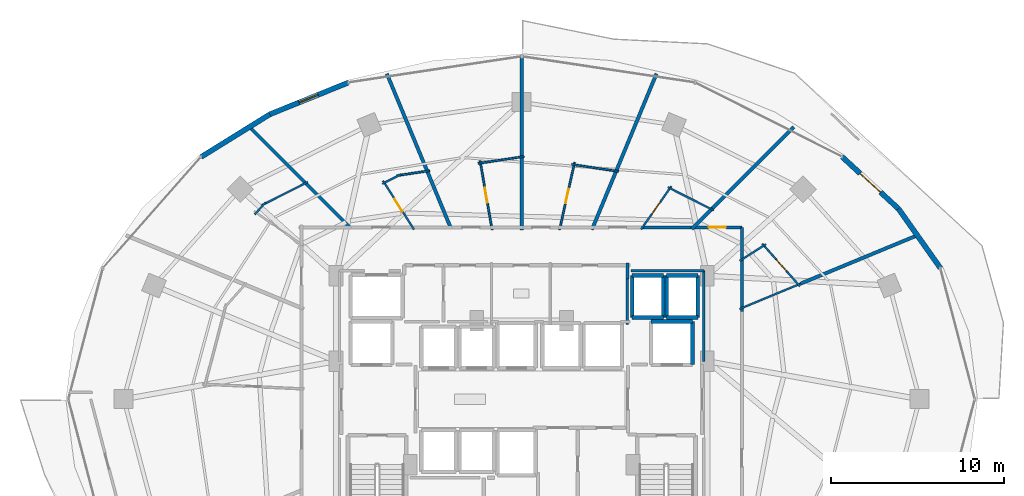
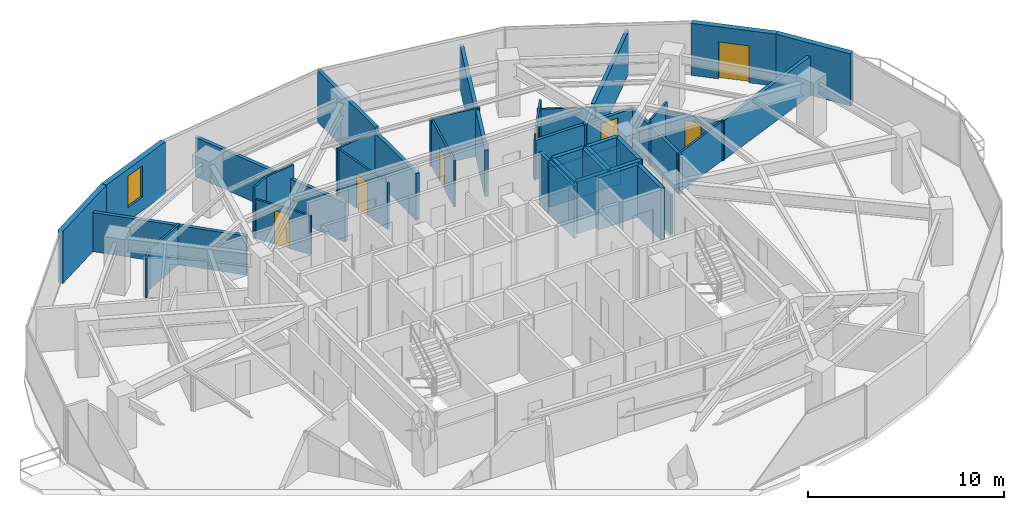
# One storey, part 26 of 30: 45 walls, 7 doors, 1 window, 8 openings.
"""IFC4 building model written with IfcOpenShell, lengths in metres."""

import ifcopenshell
import ifcopenshell.guid

model = None  # the IFC model being written
_history = None  # IfcOwnerHistory: only IFC2X3 demands one
_inside = {}  # id of a spatial element -> (the spatial element, [elements in it])
_under = {}  # id of a project, library or spatial element -> (it, [spatial elements below it])
_declared = {}  # id of a project -> (the project, [libraries it declares])
_typed = {}  # id of a type object -> (the type object, [elements of that type])
_made_of = {}  # id of a material, layer set ... -> (it, [elements and type objects made of it])


def new_model(schema):
    """Start an empty IFC model of exactly this schema.

    Asked for "IFC4X3", IfcOpenShell would pick the latest addendum, in which some entities
    have other attributes; the version numbers below select the first issue.
    IFC2X3 requires an IfcOwnerHistory on every rooted entity: one is made here for all.
    """
    global model, _history
    if schema == "IFC4X3":
        model = ifcopenshell.file(schema_version=(4, 3, 0, 0))
    else:
        model = ifcopenshell.file(schema=schema)
    _inside.clear()
    _under.clear()
    _declared.clear()
    _typed.clear()
    _made_of.clear()
    _history = None
    if model.schema == "IFC2X3":
        org = make("IfcOrganization", Name="unknown")
        user = make(
            "IfcPersonAndOrganization",
            ThePerson=make("IfcPerson", FamilyName="unknown"),
            TheOrganization=org,
        )
        app = make(
            "IfcApplication",
            ApplicationDeveloper=org,
            Version="unknown",
            ApplicationFullName="unknown",
            ApplicationIdentifier="unknown",
        )
        _history = make(
            "IfcOwnerHistory",
            OwningUser=user,
            OwningApplication=app,
            ChangeAction="ADDED",
            CreationDate=0,
        )
    return model


def make(cls, **values):
    """One entity of the class cls with the attributes given. An attribute that is None is left unset."""
    return model.create_entity(
        cls, **{name: value for name, value in values.items() if value is not None}
    )


def rooted(cls, **values):
    """An entity with a GlobalId (a new one), such as an element, a storey or a relation."""
    return make(cls, GlobalId=ifcopenshell.guid.new(), OwnerHistory=_history, **values)


def si_unit(unit_type, name, prefix=None):
    """IfcSIUnit, for example si_unit("LENGTHUNIT", "METRE", prefix="MILLI")."""
    return make("IfcSIUnit", UnitType=unit_type, Prefix=prefix, Name=name)


def assignment(units):
    """IfcUnitAssignment: the units of a project."""
    return None if units is None else make("IfcUnitAssignment", Units=units)


def point(xyz):
    """IfcCartesianPoint."""
    return None if xyz is None else make("IfcCartesianPoint", Coordinates=xyz)


def direction(xyz):
    """IfcDirection."""
    return None if xyz is None else make("IfcDirection", DirectionRatios=xyz)


def frame(location, z_axis=None, x_axis=None):
    """IfcAxis2Placement3D, a coordinate frame: its origin and axes. An axis left out is left unset."""
    return make(
        "IfcAxis2Placement3D",
        Location=point(location),
        Axis=direction(z_axis),
        RefDirection=direction(x_axis),
    )


def frame_2d(location, x_axis=None):
    """IfcAxis2Placement2D, a coordinate frame in the plane: its origin and x axis."""
    return make(
        "IfcAxis2Placement2D", Location=point(location), RefDirection=direction(x_axis)
    )


def origin():
    """The frame at (0, 0, 0) with its axes left unset."""
    return frame((0.0, 0.0, 0.0))


def place(relative_to, where):
    """IfcLocalPlacement: puts the frame where relative to a parent placement (None: the world)."""
    return make(
        "IfcLocalPlacement", PlacementRelTo=relative_to, RelativePlacement=where
    )


def context(
    kind, dimensions, precision=None, world=None, true_north=None, identifier=None
):
    """IfcGeometricRepresentationContext, for example the 3D "Model" context."""
    return make(
        "IfcGeometricRepresentationContext",
        ContextIdentifier=identifier,
        ContextType=kind,
        CoordinateSpaceDimension=dimensions,
        Precision=precision,
        WorldCoordinateSystem=world,
        TrueNorth=true_north,
    )


def subcontext(parent, identifier, kind, view, scale=None):
    """IfcGeometricRepresentationSubContext, for example "Body" below "Model"."""
    return make(
        "IfcGeometricRepresentationSubContext",
        ContextIdentifier=identifier,
        ContextType=kind,
        ParentContext=parent,
        TargetScale=scale,
        TargetView=view,
    )


def project(units=None, contexts=None):
    """IfcProject with its units and contexts."""
    return rooted(
        "IfcProject",
        Name="project",
        RepresentationContexts=contexts,
        UnitsInContext=assignment(units),
    )


def spatial(cls, under=None, at=None, **own):
    """A site, building, storey or space (cls), placed at a placement, below another one or the project."""
    s = rooted(cls, ObjectPlacement=at, **own)
    if under is not None:
        _under.setdefault(under.id(), (under, []))[1].append(s)
    return s


def profile(cls, at=None, kind="AREA", **sizes):
    """A parametric profile (cls). Its sizes go by their IFC names, for example OverallWidth=200.0."""
    return make(cls, ProfileType=kind, Position=at, **sizes)


def rectangle(**sizes):
    """IfcRectangleProfileDef."""
    return profile("IfcRectangleProfileDef", **sizes)


def extrude(swept, where, along, depth):
    """IfcExtrudedAreaSolid: the profile swept, set in the frame where, extruded along a direction by depth."""
    return make(
        "IfcExtrudedAreaSolid",
        SweptArea=swept,
        Position=where,
        ExtrudedDirection=direction(along),
        Depth=depth,
    )


def shape(context_of_items, identifier, shape_type, items):
    """IfcShapeRepresentation: the items that make up one representation, for example the "Body"."""
    return make(
        "IfcShapeRepresentation",
        ContextOfItems=context_of_items,
        RepresentationIdentifier=identifier,
        RepresentationType=shape_type,
        Items=items,
    )


def material(Name=None, Category=None):
    """IfcMaterial."""
    return make("IfcMaterial", Name=Name, Category=Category)


def layer(
    of_material, thickness, ventilated=None, Name=None, Category=None, Priority=None
):
    """IfcMaterialLayer: one layer of a wall or slab, of a material (None: an air gap)."""
    return make(
        "IfcMaterialLayer",
        Material=of_material,
        LayerThickness=thickness,
        IsVentilated=ventilated,
        Name=Name,
        Category=Category,
        Priority=Priority,
    )


def layer_set(layers, Name=None):
    """IfcMaterialLayerSet."""
    return make("IfcMaterialLayerSet", MaterialLayers=layers, LayerSetName=Name)


def made_of(thing, what):
    """Note that an element or type object is made of a material, layer set ...; save() writes the relation."""
    if what is not None:
        _made_of.setdefault(what.id(), (what, []))[1].append(thing)
    return thing


def type_object(cls, material=None, **own):
    """A type object (cls), such as IfcWallType, which elements share."""
    return made_of(rooted(cls, **own), material)


def element(
    cls,
    number,
    at=None,
    inside=None,
    cuts=None,
    type_object=None,
    material=None,
    context=None,
    identifier="Body",
    shape_type=None,
    held_by="IfcProductDefinitionShape",
    body=None,
    shapes=None,
    **own,
):
    """One element of the class cls, such as IfcWall. Its Tag is "e" and its number.

    at: its placement. inside: the storey or other place that contains it. cuts: it is an
    opening in that element (IfcRelVoidsElement). A single representation is given by context,
    identifier, shape_type and body (its items); several are given by shapes. held_by: the class
    of the entity that holds the representations. save() writes the other relations.
    """
    e = rooted(cls, Tag="e%d" % number, ObjectPlacement=at, **own)
    if body is not None:
        shapes = [shape(context, identifier, shape_type, body)]
    if shapes is not None:
        e.Representation = make(held_by, Representations=shapes)
    if inside is not None:
        _inside.setdefault(inside.id(), (inside, []))[1].append(e)
    if cuts is not None:
        rooted(
            "IfcRelVoidsElement", RelatingBuildingElement=cuts, RelatedOpeningElement=e
        )
    if type_object is not None:
        _typed.setdefault(type_object.id(), (type_object, []))[1].append(e)
    return made_of(e, material)


def fill(opening, filler):
    """IfcRelFillsElement: the door or window that sits in an opening."""
    return rooted(
        "IfcRelFillsElement",
        RelatingOpeningElement=opening,
        RelatedBuildingElement=filler,
    )


def aggregate(whole, parts):
    """IfcRelAggregates: a whole, such as a stair, and the parts it consists of."""
    return rooted("IfcRelAggregates", RelatingObject=whole, RelatedObjects=parts)


def save(model, path):
    """Write the relations noted so far, then the file.

    IfcRelAggregates (storeys below a building ...), IfcRelContainedInSpatialStructure (elements
    in a storey), IfcRelDefinesByType, IfcRelAssociatesMaterial and IfcRelDeclares: one each for
    every whole, place, type object, material and project.
    """
    for whole, parts in _under.values():
        aggregate(whole, parts)
    for where, things in _inside.values():
        rooted(
            "IfcRelContainedInSpatialStructure",
            RelatedElements=things,
            RelatingStructure=where,
        )
    for kind, things in _typed.values():
        rooted("IfcRelDefinesByType", RelatedObjects=things, RelatingType=kind)
    for what, things in _made_of.values():
        rooted("IfcRelAssociatesMaterial", RelatedObjects=things, RelatingMaterial=what)
    for by, libraries in _declared.values():
        rooted("IfcRelDeclares", RelatingContext=by, RelatedDefinitions=libraries)
    model.write(path)


model = new_model("IFC4")

# Units and contexts
model_context = context("Model", 3, precision=1e-05, world=origin(), true_north=direction((0.0, 1.0)))
body_context = subcontext(model_context, "Body", "Model", "MODEL_VIEW")
ifc_project = project(units=[si_unit("LENGTHUNIT", "METRE"), si_unit("AREAUNIT", "SQUARE_METRE"), si_unit("VOLUMEUNIT", "CUBIC_METRE"), si_unit("PLANEANGLEUNIT", "RADIAN"), si_unit("MASSUNIT", "GRAM", prefix="KILO")], contexts=[model_context])

# Site, building, storey
site_placement = place(None, origin())
site = spatial("IfcSite", under=ifc_project, at=site_placement, CompositionType="ELEMENT")
building_placement = place(site_placement, origin())
building = spatial("IfcBuilding", under=site, at=building_placement, Name="Vorneva Point Tower", CompositionType="ELEMENT")
storey_placement = place(building_placement, frame((0.0, 0.0, 106.800048828125)))
storey = spatial("IfcBuildingStorey", under=building, at=storey_placement, Name="L28", CompositionType="ELEMENT", Elevation=106.800048828125)

# Walls
ifc_material_1 = material(Name="Concrete B60 (C50/60)", Category="concrete")
ifc_layer_1 = layer(ifc_material_1, 0.5)
ifc_layer_set_1 = layer_set([ifc_layer_1], Name="Concrete B60 (C50/60)")
wall_type_1 = type_object("IfcWallType", Name="WL-CORE-500", PredefinedType="SHEAR", material=ifc_layer_set_1)
wall_1_placement = place(storey_placement, frame((47.89990234375, 28.0, 0.0), z_axis=(0.0, 0.0, 1.0), x_axis=(0.0, 1.0, 0.0)))
element("IfcWall", 1, at=wall_1_placement, inside=storey, type_object=wall_type_1, Name="L28 Lift FFL2 Shaft Wall +X", PredefinedType="SHEAR", context=body_context, shape_type="SweptSolid", body=[
    extrude(rectangle(XDim=2.5, YDim=0.219970703125, at=frame_2d((1.25, 0.0))), origin(), (0.0, 0.0, 1.0), 3.239990234375),
])
wall_2_placement = place(storey_placement, frame((47.89990234375, 30.5, 0.0), z_axis=(0.0, 0.0, 1.0), x_axis=(-1.0, 0.0, 0.0)))
element("IfcWall", 2, at=wall_2_placement, inside=storey, type_object=wall_type_1, Name="L28 Lift FFL2 Shaft Wall +Y", PredefinedType="SHEAR", context=body_context, shape_type="SweptSolid", body=[
    extrude(rectangle(XDim=2.39990234375, YDim=0.219970703125, at=frame_2d((1.199951171875, 0.0))), origin(), (0.0, 0.0, 1.0), 3.239990234375),
])
ifc_material_2 = material(Name="Precast concrete B50 (C40/50)", Category="concrete")
ifc_layer_2 = layer(ifc_material_2, 0.300048828125)
ifc_layer_set_2 = layer_set([ifc_layer_2], Name="Precast concrete B50 (C40/50)")
wall_type_2 = type_object("IfcWallType", Name="WL-EXT-300", PredefinedType="STANDARD", material=ifc_layer_set_2)
wall_3_placement = place(storey_placement, frame((62.251708984375, 33.59619140625, 0.0), z_axis=(0.0, 0.0, 1.0), x_axis=(-0.57716435238, 0.81662801222, 0.0)))
element("IfcWall", 3, at=wall_3_placement, inside=storey, type_object=wall_type_2, Name="L28 Pale-Metal Facade Spandrel Wall 02.1", PredefinedType="STANDARD", context=body_context, shape_type="SweptSolid", body=[
    extrude(rectangle(XDim=4.202392578125, YDim=0.300048828125, at=frame_2d((2.10107421875, 0.0))), origin(), (0.0, 0.0, 1.0), 3.239990234375),
])

# Wall, opening, door
wall_4_placement = place(storey_placement, frame((59.826171875, 37.028076171875, 0.0), z_axis=(0.0, 0.0, 1.0), x_axis=(-0.735416718093, 0.677615119924, 0.0)))
wall_4 = element("IfcWall", 4, at=wall_4_placement, inside=storey, type_object=wall_type_2, Name="L28 Pale-Metal Facade Spandrel Wall 02.2", PredefinedType="STANDARD", context=body_context, shape_type="SweptSolid", body=[
    extrude(rectangle(XDim=4.439208984375, YDim=0.300048828125, at=frame_2d((2.2197265625, 0.0))), origin(), (0.0, 0.0, 1.0), 3.239990234375),
])
opening_1_placement = place(wall_4_placement, frame((1.41943359375, 0.0, 0.0)))
opening_1 = element("IfcOpeningElement", 5, at=opening_1_placement, cuts=wall_4, Name="Opening BD-01", PredefinedType="OPENING", context=body_context, shape_type="SweptSolid", body=[
    extrude(rectangle(XDim=1.60009765625, YDim=2.300048828125, at=frame_2d((0.800048828125, 1.14990234375))), frame((0.0, 0.1650390625, 0.0), z_axis=(0.0, -1.0, 0.0), x_axis=(1.0, 0.0, 0.0)), (0.0, 0.0, 1.0), 0.329833984375),
])
ifc_material_3 = material(Name="Pale anodised aluminium", Category="aluminium")
door_type_1 = type_object("IfcDoorType", Name="DR-BAL-1600", OperationType="SLIDING_TO_LEFT", PredefinedType="DOOR", material=ifc_material_3)
door_1_placement = place(opening_1_placement, origin())
door_1 = element("IfcDoor", 6, at=door_1_placement, inside=storey, type_object=door_type_1, Name="L28 Balcony Terrace Access Door 02", OperationType="SLIDING_TO_LEFT", OverallHeight=2.300048828125, OverallWidth=1.60009765625, PredefinedType="DOOR", context=body_context, shape_type="SweptSolid", body=[
    extrude(rectangle(XDim=1.60009765625, YDim=2.300048828125, at=frame_2d((0.800048828125, 1.14990234375))), frame((0.0, 0.02490234375, 0.0), z_axis=(0.0, -1.0, 0.0), x_axis=(1.0, 0.0, 0.0)), (0.0, 0.0, 1.0), 0.050048828125),
])
fill(opening_1, door_1)

# Wall, opening, window
wall_5_placement = place(storey_placement, frame((27.95458984375, 44.339111328125, 0.0), z_axis=(0.0, 0.0, 1.0), x_axis=(-0.927122233109, -0.374759075775, 0.0)))
wall_5 = element("IfcWall", 7, at=wall_5_placement, inside=storey, type_object=wall_type_2, Name="L28 Pale-Metal Facade Spandrel Wall 06.1", PredefinedType="STANDARD", context=body_context, shape_type="SweptSolid", body=[
    extrude(rectangle(XDim=4.89501953125, YDim=0.300048828125, at=frame_2d((2.447509765625, 0.0))), origin(), (0.0, 0.0, 1.0), 3.239990234375),
])
opening_2_placement = place(wall_5_placement, frame((1.87744140625, 0.0, 0.85009765625)))
opening_2 = element("IfcOpeningElement", 8, at=opening_2_placement, cuts=wall_5, Name="Opening W-04", PredefinedType="OPENING", context=body_context, shape_type="SweptSolid", body=[
    extrude(rectangle(XDim=1.199951171875, YDim=1.949951171875, at=frame_2d((0.60009765625, 0.97509765625))), frame((0.0, 0.1650390625, 0.0), z_axis=(0.0, -1.0, 0.0), x_axis=(1.0, 0.0, 0.0)), (0.0, 0.0, 1.0), 0.329833984375),
])
ifc_material_4 = material(Name="Double low-e laminated glass IGU", Category="glass")
window_type = type_object("IfcWindowType", Name="WN-RES-1200", PartitioningType="SINGLE_PANEL", PredefinedType="WINDOW", material=ifc_material_4)
window_placement = place(opening_2_placement, origin())
window = element("IfcWindow", 9, at=window_placement, inside=storey, type_object=window_type, Name="L28 Dwelling Vision Window 01", OverallHeight=1.949951171875, OverallWidth=1.199951171875, PartitioningType="SINGLE_PANEL", PredefinedType="WINDOW", context=body_context, shape_type="SweptSolid", body=[
    extrude(rectangle(XDim=1.199951171875, YDim=1.949951171875, at=frame_2d((0.60009765625, 0.97509765625))), frame((0.0, 0.030029296875, 0.0), z_axis=(0.0, -1.0, 0.0), x_axis=(1.0, 0.0, 0.0)), (0.0, 0.0, 1.0), 0.06005859375),
])
fill(opening_2, window)

# Wall
wall_6_placement = place(storey_placement, frame((23.416259765625, 42.504638671875, 0.0), z_axis=(0.0, 0.0, 1.0), x_axis=(-0.849684479743, -0.527291461038, 0.0)))
element("IfcWall", 10, at=wall_6_placement, inside=storey, type_object=wall_type_2, Name="L28 Pale-Metal Facade Spandrel Wall 06.2", PredefinedType="STANDARD", context=body_context, shape_type="SweptSolid", body=[
    extrude(rectangle(XDim=4.681396484375, YDim=0.300048828125, at=frame_2d((2.3408203125, 0.0))), origin(), (0.0, 0.0, 1.0), 3.239990234375),
])

# Wall, opening, door
ifc_material_5 = material(Name="Fire-rated acoustic gypsum stud partition", Category="gypsum")
ifc_layer_3 = layer(ifc_material_5, 0.110107421875)
ifc_layer_set_3 = layer_set([ifc_layer_3], Name="Fire-rated acoustic gypsum stud partition")
wall_type_3 = type_object("IfcWallType", Name="WL-PART-110", PredefinedType="PARTITIONING", material=ifc_layer_set_3)
wall_7_placement = place(storey_placement, frame((51.935302734375, 35.0068359375, 0.0), z_axis=(0.0, 0.0, 1.0), x_axis=(0.662059609276, -0.749451181709, 0.0)))
wall_7 = element("IfcWall", 11, at=wall_7_placement, inside=storey, type_object=wall_type_3, Name="L28 Interior Partition 051", PredefinedType="PARTITIONING", context=body_context, shape_type="SweptSolid", body=[
    extrude(rectangle(XDim=3.29931640625, YDim=0.110107421875, at=frame_2d((1.649658203125, 0.0))), origin(), (0.0, 0.0, 1.0), 2.431884765625),
])
opening_3_placement = place(wall_7_placement, frame((1.224609375, 0.0, 0.0)))
opening_3 = element("IfcOpeningElement", 12, at=opening_3_placement, cuts=wall_7, Name="Opening ID-02", PredefinedType="OPENING", context=body_context, shape_type="SweptSolid", body=[
    extrude(rectangle(XDim=0.85009765625, YDim=2.10009765625, at=frame_2d((0.425048828125, 1.050048828125))), frame((0.0, 0.06982421875, 0.0), z_axis=(0.0, -1.0, 0.0), x_axis=(1.0, 0.0, 0.0)), (0.0, 0.0, 1.0), 0.139892578125),
])
ifc_material_6 = material(Name="Engineered oak fire-rated door leaf", Category="wood")
door_type_2 = type_object("IfcDoorType", Name="DR-BATH-850", OperationType="NOTDEFINED", PredefinedType="DOOR", material=ifc_material_6)
door_2_placement = place(opening_3_placement, origin())
door_2 = element("IfcDoor", 13, at=door_2_placement, inside=storey, type_object=door_type_2, Name="L28 Door King Guest Room L28-01 / En-Suite Bathroom L28-01", OperationType="SINGLE_SWING_RIGHT", OverallHeight=2.10009765625, OverallWidth=0.85009765625, PredefinedType="DOOR", context=body_context, shape_type="SweptSolid", body=[
    extrude(rectangle(XDim=0.85009765625, YDim=2.10009765625, at=frame_2d((0.425048828125, 1.050048828125))), frame((0.0, 0.02490234375, 0.0), z_axis=(0.0, -1.0, 0.0), x_axis=(1.0, 0.0, 0.0)), (0.0, 0.0, 1.0), 0.050048828125),
])
fill(opening_3, door_2)

# Walls
wall_8_placement = place(storey_placement, frame((54.15625, 32.692626953125, 0.0), z_axis=(0.0, 0.0, 1.0), x_axis=(-0.923803754276, -0.382866326002, 0.0)))
element("IfcWall", 14, at=wall_8_placement, inside=storey, type_object=wall_type_3, Name="L28 Interior Partition 052", PredefinedType="PARTITIONING", context=body_context, shape_type="SweptSolid", body=[
    extrude(rectangle(XDim=3.8271484375, YDim=0.110107421875, at=frame_2d((1.91357421875, 0.0))), origin(), (0.0, 0.0, 1.0), 2.431884765625),
])
wall_9_placement = place(storey_placement, frame((50.6318359375, 34.01611328125, 0.0), z_axis=(0.0, 0.0, 1.0), x_axis=(0.844361394482, 0.535774052665, 0.0)))
element("IfcWall", 15, at=wall_9_placement, inside=storey, type_object=wall_type_3, Name="L28 Interior Partition 053", PredefinedType="PARTITIONING", context=body_context, shape_type="SweptSolid", body=[
    extrude(rectangle(XDim=1.79345703125, YDim=0.110107421875, at=frame_2d((0.896728515625, 0.0))), origin(), (0.0, 0.0, 1.0), 2.885986328125),
])
wall_10_placement = place(storey_placement, frame((46.462158203125, 38.281005859375, 0.0), z_axis=(0.0, 0.0, 1.0), x_axis=(0.892486842203, -0.451073426944, 0.0)))
element("IfcWall", 16, at=wall_10_placement, inside=storey, type_object=wall_type_3, Name="L28 Interior Partition 057", PredefinedType="PARTITIONING", context=body_context, shape_type="SweptSolid", body=[
    extrude(rectangle(XDim=2.982177734375, YDim=0.110107421875, at=frame_2d((1.4912109375, 0.0))), origin(), (0.0, 0.0, 1.0), 2.431884765625),
])

# Wall, opening, door
wall_11_placement = place(storey_placement, frame((44.91259765625, 35.83544921875, 0.0), z_axis=(0.0, 0.0, 1.0), x_axis=(0.574986040322, 0.818163219312, 0.0)))
wall_11 = element("IfcWall", 17, at=wall_11_placement, inside=storey, type_object=wall_type_3, Name="L28 Interior Partition 058", PredefinedType="PARTITIONING", context=body_context, shape_type="SweptSolid", body=[
    extrude(rectangle(XDim=3.052001953125, YDim=0.110107421875, at=frame_2d((1.52587890625, 0.0))), origin(), (0.0, 0.0, 1.0), 2.885986328125),
])
opening_4_placement = place(wall_11_placement, frame((1.10107421875, 0.0, 0.0)))
opening_4 = element("IfcOpeningElement", 18, at=opening_4_placement, cuts=wall_11, Name="Opening ID-02", PredefinedType="OPENING", context=body_context, shape_type="SweptSolid", body=[
    extrude(rectangle(XDim=0.85009765625, YDim=2.10009765625, at=frame_2d((0.425048828125, 1.050048828125))), frame((0.0, 0.06982421875, 0.0), z_axis=(0.0, -1.0, 0.0), x_axis=(1.0, 0.0, 0.0)), (0.0, 0.0, 1.0), 0.139892578125),
])
door_3_placement = place(opening_4_placement, origin())
door_3 = element("IfcDoor", 19, at=door_3_placement, inside=storey, type_object=door_type_2, Name="L28 Door Twin Guest Room L28-02 / En-Suite Bathroom L28-02", OperationType="SINGLE_SWING_LEFT", OverallHeight=2.10009765625, OverallWidth=0.85009765625, PredefinedType="DOOR", context=body_context, shape_type="SweptSolid", body=[
    extrude(rectangle(XDim=0.85009765625, YDim=2.10009765625, at=frame_2d((0.425048828125, 1.050048828125))), frame((0.0, 0.02490234375, 0.0), z_axis=(0.0, -1.0, 0.0), x_axis=(1.0, 0.0, 0.0)), (0.0, 0.0, 1.0), 0.050048828125),
])
fill(opening_4, door_3)

wall_12_placement = place(storey_placement, frame((40.193603515625, 35.8134765625, 0.0), z_axis=(0.0, 0.0, 1.0), x_axis=(0.21804880916, 0.975937865248, 0.0)))
wall_12 = element("IfcWall", 20, at=wall_12_placement, inside=storey, type_object=wall_type_3, Name="L28 Interior Partition 061", PredefinedType="PARTITIONING", context=body_context, shape_type="SweptSolid", body=[
    extrude(rectangle(XDim=3.998291015625, YDim=0.110107421875, at=frame_2d((1.9990234375, 0.0))), origin(), (0.0, 0.0, 1.0), 2.885986328125),
])
opening_5_placement = place(wall_12_placement, frame((1.57421875, 0.0, 0.0)))
opening_5 = element("IfcOpeningElement", 21, at=opening_5_placement, cuts=wall_12, Name="Opening ID-02", PredefinedType="OPENING", context=body_context, shape_type="SweptSolid", body=[
    extrude(rectangle(XDim=0.85009765625, YDim=2.10009765625, at=frame_2d((0.425048828125, 1.050048828125))), frame((0.0, 0.06982421875, 0.0), z_axis=(0.0, -1.0, 0.0), x_axis=(1.0, 0.0, 0.0)), (0.0, 0.0, 1.0), 0.139892578125),
])
door_4_placement = place(opening_5_placement, origin())
door_4 = element("IfcDoor", 22, at=door_4_placement, inside=storey, type_object=door_type_2, Name="L28 Door Deluxe Guest Room L28-03 / En-Suite Bathroom L28-03", OperationType="SINGLE_SWING_RIGHT", OverallHeight=2.10009765625, OverallWidth=0.85009765625, PredefinedType="DOOR", context=body_context, shape_type="SweptSolid", body=[
    extrude(rectangle(XDim=0.85009765625, YDim=2.10009765625, at=frame_2d((0.425048828125, 1.050048828125))), frame((0.0, 0.02490234375, 0.0), z_axis=(0.0, -1.0, 0.0), x_axis=(1.0, 0.0, 0.0)), (0.0, 0.0, 1.0), 0.050048828125),
])
fill(opening_5, door_4)

# Walls
wall_13_placement = place(storey_placement, frame((40.896484375, 39.599853515625, 0.0), z_axis=(0.0, 0.0, 1.0), x_axis=(0.98891024541, -0.148514398367, 0.0)))
element("IfcWall", 23, at=wall_13_placement, inside=storey, type_object=wall_type_3, Name="L28 Interior Partition 062", PredefinedType="PARTITIONING", context=body_context, shape_type="SweptSolid", body=[
    extrude(rectangle(XDim=2.745361328125, YDim=0.110107421875, at=frame_2d((1.37255859375, 0.0))), origin(), (0.0, 0.0, 1.0), 2.971923828125),
])
wall_14_placement = place(storey_placement, frame((35.474609375, 39.65625, 0.0), z_axis=(0.0, 0.0, 1.0), x_axis=(0.988878442063, 0.148726012595, 0.0)))
element("IfcWall", 24, at=wall_14_placement, inside=storey, type_object=wall_type_3, Name="L28 Interior Partition 065", PredefinedType="PARTITIONING", context=body_context, shape_type="SweptSolid", body=[
    extrude(rectangle(XDim=2.69384765625, YDim=0.110107421875, at=frame_2d((1.346923828125, 0.0))), origin(), (0.0, 0.0, 1.0), 2.971923828125),
])

# Wall, opening, door
wall_15_placement = place(storey_placement, frame((36.287109375, 35.81201171875, 0.0), z_axis=(0.0, 0.0, 1.0), x_axis=(-0.171838135253, 0.985125197766, 0.0)))
wall_15 = element("IfcWall", 25, at=wall_15_placement, inside=storey, type_object=wall_type_3, Name="L28 Interior Partition 066", PredefinedType="PARTITIONING", context=body_context, shape_type="SweptSolid", body=[
    extrude(rectangle(XDim=4.0634765625, YDim=0.110107421875, at=frame_2d((2.03173828125, 0.0))), origin(), (0.0, 0.0, 1.0), 2.885986328125),
])
opening_6_placement = place(wall_15_placement, frame((1.606689453125, 0.0, 0.0)))
opening_6 = element("IfcOpeningElement", 26, at=opening_6_placement, cuts=wall_15, Name="Opening ID-02", PredefinedType="OPENING", context=body_context, shape_type="SweptSolid", body=[
    extrude(rectangle(XDim=0.85009765625, YDim=2.10009765625, at=frame_2d((0.425048828125, 1.050048828125))), frame((0.0, 0.06982421875, 0.0), z_axis=(0.0, -1.0, 0.0), x_axis=(1.0, 0.0, 0.0)), (0.0, 0.0, 1.0), 0.139892578125),
])
door_5_placement = place(opening_6_placement, origin())
door_5 = element("IfcDoor", 27, at=door_5_placement, inside=storey, type_object=door_type_2, Name="L28 Door King Guest Room L28-04 / En-Suite Bathroom L28-04", OperationType="SINGLE_SWING_LEFT", OverallHeight=2.10009765625, OverallWidth=0.85009765625, PredefinedType="DOOR", context=body_context, shape_type="SweptSolid", body=[
    extrude(rectangle(XDim=0.85009765625, YDim=2.10009765625, at=frame_2d((0.425048828125, 1.050048828125))), frame((0.0, 0.02490234375, 0.0), z_axis=(0.0, -1.0, 0.0), x_axis=(1.0, 0.0, 0.0)), (0.0, 0.0, 1.0), 0.050048828125),
])
fill(opening_6, door_5)

# Walls
wall_16_placement = place(storey_placement, frame((29.919189453125, 38.47265625, 0.0), z_axis=(0.0, 0.0, 1.0), x_axis=(0.892084606746, 0.45186840386, 0.0)))
element("IfcWall", 28, at=wall_16_placement, inside=storey, type_object=wall_type_3, Name="L28 Interior Partition 068", PredefinedType="PARTITIONING", context=body_context, shape_type="SweptSolid", body=[
    extrude(rectangle(XDim=1.236083984375, YDim=0.110107421875, at=frame_2d((0.6181640625, 0.0))), origin(), (0.0, 0.0, 1.0), 3.239990234375),
])
wall_17_placement = place(storey_placement, frame((30.758544921875, 38.947265625, 0.0), z_axis=(0.0, 0.0, 1.0), x_axis=(0.988889867338, 0.148650026153, 0.0)))
element("IfcWall", 29, at=wall_17_placement, inside=storey, type_object=wall_type_3, Name="L28 Interior Partition 069", PredefinedType="PARTITIONING", context=body_context, shape_type="SweptSolid", body=[
    extrude(rectangle(XDim=1.92822265625, YDim=0.110107421875, at=frame_2d((0.964111328125, 0.0))), origin(), (0.0, 0.0, 1.0), 3.239990234375),
])

# Wall, opening, door
wall_18_placement = place(storey_placement, frame((31.760986328125, 35.831787109375, 0.0), z_axis=(0.0, 0.0, 1.0), x_axis=(-0.535991614842, 0.844223305067, 0.0)))
wall_18 = element("IfcWall", 30, at=wall_18_placement, inside=storey, type_object=wall_type_3, Name="L28 Interior Partition 070", PredefinedType="PARTITIONING", context=body_context, shape_type="SweptSolid", body=[
    extrude(rectangle(XDim=3.34326171875, YDim=0.110107421875, at=frame_2d((1.671630859375, 0.0))), origin(), (0.0, 0.0, 1.0), 2.431884765625),
])
opening_7_placement = place(wall_18_placement, frame((1.24658203125, 0.0, 0.0)))
opening_7 = element("IfcOpeningElement", 31, at=opening_7_placement, cuts=wall_18, Name="Opening ID-02", PredefinedType="OPENING", context=body_context, shape_type="SweptSolid", body=[
    extrude(rectangle(XDim=0.85009765625, YDim=2.10009765625, at=frame_2d((0.425048828125, 1.050048828125))), frame((0.0, 0.06982421875, 0.0), z_axis=(0.0, -1.0, 0.0), x_axis=(1.0, 0.0, 0.0)), (0.0, 0.0, 1.0), 0.139892578125),
])
door_6_placement = place(opening_7_placement, origin())
door_6 = element("IfcDoor", 32, at=door_6_placement, inside=storey, type_object=door_type_2, Name="L28 Door Twin Guest Room L28-05 / En-Suite Bathroom L28-05", OperationType="SINGLE_SWING_RIGHT", OverallHeight=2.10009765625, OverallWidth=0.85009765625, PredefinedType="DOOR", context=body_context, shape_type="SweptSolid", body=[
    extrude(rectangle(XDim=0.85009765625, YDim=2.10009765625, at=frame_2d((0.425048828125, 1.050048828125))), frame((0.0, 0.02490234375, 0.0), z_axis=(0.0, -1.0, 0.0), x_axis=(1.0, 0.0, 0.0)), (0.0, 0.0, 1.0), 0.050048828125),
])
fill(opening_7, door_6)

# Walls
wall_19_placement = place(storey_placement, frame((22.538330078125, 36.697021484375, 0.0), z_axis=(0.0, 0.0, 1.0), x_axis=(0.662242037053, 0.749289986827, 0.0)))
element("IfcWall", 33, at=wall_19_placement, inside=storey, type_object=wall_type_3, Name="L28 Interior Partition 072", PredefinedType="PARTITIONING", context=body_context, shape_type="SweptSolid", body=[
    extrude(rectangle(XDim=0.936767578125, YDim=0.110107421875, at=frame_2d((0.46826171875, 0.0))), origin(), (0.0, 0.0, 1.0), 2.431884765625),
])
wall_20_placement = place(storey_placement, frame((22.941162109375, 37.23095703125, 0.0), z_axis=(0.0, 0.0, 1.0), x_axis=(0.892507731149, 0.451032094024, 0.0)))
element("IfcWall", 34, at=wall_20_placement, inside=storey, type_object=wall_type_3, Name="L28 Interior Partition 073", PredefinedType="PARTITIONING", context=body_context, shape_type="SweptSolid", body=[
    extrude(rectangle(XDim=2.989013671875, YDim=0.110107421875, at=frame_2d((1.49462890625, 0.0))), origin(), (0.0, 0.0, 1.0), 2.431884765625),
])
ifc_layer_4 = layer(ifc_material_5, 0.139892578125)
ifc_layer_set_4 = layer_set([ifc_layer_4], Name="Fire-rated acoustic gypsum stud partition")
wall_type_4 = type_object("IfcWallType", Name="WL-PART-140", PredefinedType="PARTITIONING", material=ifc_layer_set_4)
wall_21_placement = place(storey_placement, frame((44.1201171875, 30.340087890625, 0.0), z_axis=(0.0, 0.0, 1.0), x_axis=(0.0, 1.0, 0.0)))
element("IfcWall", 35, at=wall_21_placement, inside=storey, type_object=wall_type_4, Name="L28 Interior Closure Partition 100", PredefinedType="PARTITIONING", context=body_context, shape_type="SweptSolid", body=[
    extrude(rectangle(XDim=2.659912109375, YDim=0.139892578125, at=frame_2d((1.330078125, 0.0))), origin(), (0.0, 0.0, 1.0), 3.239990234375),
])
wall_22_placement = place(storey_placement, frame((44.340087890625, 33.449951171875, 0.0), z_axis=(0.0, 0.0, 1.0), x_axis=(1.0, 0.0, 0.0)))
element("IfcWall", 36, at=wall_22_placement, inside=storey, type_object=wall_type_4, Name="L28 Interior Closure Partition 103", PredefinedType="PARTITIONING", context=body_context, shape_type="SweptSolid", body=[
    extrude(rectangle(XDim=4.2099609375, YDim=0.139892578125, at=frame_2d((2.10498046875, 0.0))), origin(), (0.0, 0.0, 1.0), 2.431884765625),
])
wall_23_placement = place(storey_placement, frame((48.550048828125, 33.449951171875, 0.0), z_axis=(0.0, 0.0, 1.0), x_axis=(0.0, -1.0, 0.0)))
element("IfcWall", 37, at=wall_23_placement, inside=storey, type_object=wall_type_4, Name="L28 Interior Closure Partition 104", PredefinedType="PARTITIONING", context=body_context, shape_type="SweptSolid", body=[
    extrude(rectangle(XDim=5.25390625, YDim=0.139892578125, at=frame_2d((2.626953125, 0.0))), origin(), (0.0, 0.0, 1.0), 2.431884765625),
])
ifc_material_7 = material(Name="Autoclaved aerated concrete blockwork", Category="masonry")
ifc_layer_5 = layer(ifc_material_7, 0.179931640625)
ifc_layer_set_5 = layer_set([ifc_layer_5], Name="Autoclaved aerated concrete blockwork")
wall_type_5 = type_object("IfcWallType", Name="WL-PART-180", PredefinedType="PARTITIONING", material=ifc_layer_set_5)
wall_24_placement = place(storey_placement, frame((44.1201171875, 32.969970703125, 0.0), z_axis=(0.0, 0.0, 1.0), x_axis=(0.0, 1.0, 0.0)))
element("IfcWall", 38, at=wall_24_placement, inside=storey, type_object=wall_type_5, Name="L28 Interior Partition 022", PredefinedType="PARTITIONING", context=body_context, shape_type="SweptSolid", body=[
    extrude(rectangle(XDim=0.929931640625, YDim=0.179931640625, at=frame_2d((0.46484375, 0.0))), origin(), (0.0, 0.0, 1.0), 3.239990234375),
])
wall_25_placement = place(storey_placement, frame((50.75, 34.031005859375, 0.0), z_axis=(0.0, 0.0, 1.0), x_axis=(0.0, 1.0, 0.0)))
element("IfcWall", 39, at=wall_25_placement, inside=storey, type_object=wall_type_5, Name="L28 Interior Partition 026", PredefinedType="PARTITIONING", context=body_context, shape_type="SweptSolid", body=[
    extrude(rectangle(XDim=1.9189453125, YDim=0.179931640625, at=frame_2d((0.95947265625, 0.0))), origin(), (0.0, 0.0, 1.0), 2.431884765625),
])

# Wall, opening, door
wall_26_placement = place(storey_placement, frame((50.75, 35.949951171875, 0.0), z_axis=(0.0, 0.0, 1.0), x_axis=(-1.0, 0.0, 0.0)))
wall_26 = element("IfcWall", 40, at=wall_26_placement, inside=storey, type_object=wall_type_5, Name="L28 Interior Partition 027", PredefinedType="PARTITIONING", context=body_context, shape_type="SweptSolid", body=[
    extrude(rectangle(XDim=2.860107421875, YDim=0.179931640625, at=frame_2d((1.43017578125, 0.0))), origin(), (0.0, 0.0, 1.0), 2.431884765625),
])
opening_8_placement = place(wall_26_placement, frame((0.929931640625, 0.0, 0.0)))
opening_8 = element("IfcOpeningElement", 41, at=opening_8_placement, cuts=wall_26, Name="Opening UD-01", PredefinedType="OPENING", context=body_context, shape_type="SweptSolid", body=[
    extrude(rectangle(XDim=1.0, YDim=2.14990234375, at=frame_2d((0.5, 1.074951171875))), frame((0.0, 0.10498046875, 0.0), z_axis=(0.0, -1.0, 0.0), x_axis=(1.0, 0.0, 0.0)), (0.0, 0.0, 1.0), 0.209716796875),
])
door_type_3 = type_object("IfcDoorType", Name="DR-UNIT-1000", OperationType="NOTDEFINED", PredefinedType="DOOR", material=ifc_material_6)
door_7_placement = place(opening_8_placement, origin())
door_7 = element("IfcDoor", 42, at=door_7_placement, inside=storey, type_object=door_type_3, Name="L28 Door L28 Circulation Corridor / King Guest Room L28-01", OperationType="SINGLE_SWING_LEFT", OverallHeight=2.14990234375, OverallWidth=1.0, PredefinedType="DOOR", context=body_context, shape_type="SweptSolid", body=[
    extrude(rectangle(XDim=1.0, YDim=2.14990234375, at=frame_2d((0.5, 1.074951171875))), frame((0.0, 0.02490234375, 0.0), z_axis=(0.0, -1.0, 0.0), x_axis=(1.0, 0.0, 0.0)), (0.0, 0.0, 1.0), 0.050048828125),
])
fill(opening_8, door_7)

# Walls
wall_27_placement = place(storey_placement, frame((50.75, 31.0810546875, 0.0), z_axis=(0.0, 0.0, 1.0), x_axis=(0.0, 1.0, 0.0)))
element("IfcWall", 43, at=wall_27_placement, inside=storey, type_object=wall_type_5, Name="L28 Interior Partition 028", PredefinedType="PARTITIONING", context=body_context, shape_type="SweptSolid", body=[
    extrude(rectangle(XDim=3.08984375, YDim=0.179931640625, at=frame_2d((1.544921875, 0.0))), origin(), (0.0, 0.0, 1.0), 2.431884765625),
])
wall_28_placement = place(storey_placement, frame((48.030029296875, 35.949951171875, 0.0), z_axis=(0.0, 0.0, 1.0), x_axis=(-1.0, 0.0, 0.0)))
element("IfcWall", 44, at=wall_28_placement, inside=storey, type_object=wall_type_5, Name="L28 Interior Partition 030", PredefinedType="PARTITIONING", context=body_context, shape_type="SweptSolid", body=[
    extrude(rectangle(XDim=3.10400390625, YDim=0.179931640625, at=frame_2d((1.552001953125, 0.0))), origin(), (0.0, 0.0, 1.0), 2.431884765625),
])
ifc_layer_6 = layer(ifc_material_7, 0.199951171875)
ifc_layer_set_6 = layer_set([ifc_layer_6], Name="Autoclaved aerated concrete blockwork")
wall_type_6 = type_object("IfcWallType", Name="WL-PART-200", PredefinedType="PARTITIONING", material=ifc_layer_set_6)
wall_29_placement = place(storey_placement, frame((53.76806640625, 41.76806640625, 0.0), z_axis=(0.0, 0.0, 1.0), x_axis=(-0.707106781187, -0.707106781187, 0.0)))
element("IfcWall", 45, at=wall_29_placement, inside=storey, type_object=wall_type_6, Name="L28 Interior Partition 054", PredefinedType="PARTITIONING", context=body_context, shape_type="SweptSolid", body=[
    extrude(rectangle(XDim=6.807861328125, YDim=0.199951171875, at=frame_2d((3.40380859375, 0.0))), origin(), (0.0, 0.0, 1.0), 2.677001953125),
])
wall_30_placement = place(storey_placement, frame((49.052978515625, 37.052978515625, 0.0), z_axis=(0.0, 0.0, 1.0), x_axis=(-0.707106781187, -0.707106781187, 0.0)))
element("IfcWall", 46, at=wall_30_placement, inside=storey, type_object=wall_type_6, Name="L28 Interior Partition 055", PredefinedType="PARTITIONING", context=body_context, shape_type="SweptSolid", body=[
    extrude(rectangle(XDim=1.69970703125, YDim=0.199951171875, at=frame_2d((0.849853515625, 0.0))), origin(), (0.0, 0.0, 1.0), 2.431884765625),
])
wall_31_placement = place(storey_placement, frame((54.156494140625, 32.692138671875, 0.0), z_axis=(0.0, 0.0, 1.0), x_axis=(0.923875192571, 0.38269390974, 0.0)))
element("IfcWall", 47, at=wall_31_placement, inside=storey, type_object=wall_type_6, Name="L28 Interior Partition 056", PredefinedType="PARTITIONING", context=body_context, shape_type="SweptSolid", body=[
    extrude(rectangle(XDim=7.31103515625, YDim=0.199951171875, at=frame_2d((3.655517578125, 0.0))), origin(), (0.0, 0.0, 1.0), 2.431884765625),
])
wall_32_placement = place(storey_placement, frame((45.80810546875, 44.85107421875, 0.0), z_axis=(0.0, 0.0, 1.0), x_axis=(-0.382705075352, -0.923870567395, 0.0)))
element("IfcWall", 48, at=wall_32_placement, inside=storey, type_object=wall_type_6, Name="L28 Interior Partition 059", PredefinedType="PARTITIONING", context=body_context, shape_type="SweptSolid", body=[
    extrude(rectangle(XDim=6.164306640625, YDim=0.199951171875, at=frame_2d((3.08203125, 0.0))), origin(), (0.0, 0.0, 1.0), 2.677001953125),
])
wall_33_placement = place(storey_placement, frame((43.502685546875, 39.285400390625, 0.0), z_axis=(0.0, 0.0, 1.0), x_axis=(-0.382733183699, -0.923858923265, 0.0)))
element("IfcWall", 49, at=wall_33_placement, inside=storey, type_object=wall_type_6, Name="L28 Interior Partition 060", PredefinedType="PARTITIONING", context=body_context, shape_type="SweptSolid", body=[
    extrude(rectangle(XDim=3.750244140625, YDim=0.199951171875, at=frame_2d((1.875, 0.0))), origin(), (0.0, 0.0, 1.0), 2.885986328125),
])
wall_34_placement = place(storey_placement, frame((38.0, 45.85009765625, 0.0), z_axis=(0.0, 0.0, 1.0), x_axis=(0.0, -1.0, 0.0)))
element("IfcWall", 50, at=wall_34_placement, inside=storey, type_object=wall_type_6, Name="L28 Interior Partition 063", PredefinedType="PARTITIONING", context=body_context, shape_type="SweptSolid", body=[
    extrude(rectangle(XDim=5.875, YDim=0.199951171875, at=frame_2d((2.9375, 0.0))), origin(), (0.0, 0.0, 1.0), 3.239990234375),
])
wall_35_placement = place(storey_placement, frame((38.0, 40.114990234375, 0.0), z_axis=(0.0, 0.0, 1.0), x_axis=(0.0, -1.0, 0.0)))
element("IfcWall", 51, at=wall_35_placement, inside=storey, type_object=wall_type_6, Name="L28 Interior Partition 064", PredefinedType="PARTITIONING", context=body_context, shape_type="SweptSolid", body=[
    extrude(rectangle(XDim=4.304931640625, YDim=0.199951171875, at=frame_2d((2.15234375, 0.0))), origin(), (0.0, 0.0, 1.0), 2.885986328125),
])
wall_36_placement = place(storey_placement, frame((30.19189453125, 44.85107421875, 0.0), z_axis=(0.0, 0.0, 1.0), x_axis=(0.382687492799, -0.923877850614, 0.0)))
element("IfcWall", 52, at=wall_36_placement, inside=storey, type_object=wall_type_6, Name="L28 Interior Partition 067", PredefinedType="PARTITIONING", context=body_context, shape_type="SweptSolid", body=[
    extrude(rectangle(XDim=9.634521484375, YDim=0.199951171875, at=frame_2d((4.8173828125, 0.0))), origin(), (0.0, 0.0, 1.0), 2.431884765625),
])
wall_37_placement = place(storey_placement, frame((22.23193359375, 41.76806640625, 0.0), z_axis=(0.0, 0.0, 1.0), x_axis=(0.707106781187, -0.707106781187, 0.0)))
element("IfcWall", 53, at=wall_37_placement, inside=storey, type_object=wall_type_6, Name="L28 Interior Partition 071", PredefinedType="PARTITIONING", context=body_context, shape_type="SweptSolid", body=[
    extrude(rectangle(XDim=8.22802734375, YDim=0.199951171875, at=frame_2d((4.114013671875, 0.0))), origin(), (0.0, 0.0, 1.0), 2.431884765625),
])
ifc_material_8 = material(Name="Concrete B50 (C40/50)", Category="concrete")
ifc_layer_7 = layer(ifc_material_8, 0.219970703125)
ifc_layer_set_7 = layer_set([ifc_layer_7], Name="Concrete B50 (C40/50)")
wall_type_7 = type_object("IfcWallType", Name="WL-SHFT-220", PredefinedType="SOLIDWALL", material=ifc_layer_set_7)
wall_38_placement = place(storey_placement, frame((44.39990234375, 30.739990234375, 0.0), z_axis=(0.0, 0.0, 1.0), x_axis=(1.0, 0.0, 0.0)))
element("IfcWall", 54, at=wall_38_placement, inside=storey, type_object=wall_type_7, Name="L28 Lift EX1 Shaft Wall -Y", PredefinedType="SOLIDWALL", context=body_context, shape_type="SweptSolid", body=[
    extrude(rectangle(XDim=1.800048828125, YDim=0.219970703125, at=frame_2d((0.89990234375, 0.0))), origin(), (0.0, 0.0, 1.0), 3.239990234375),
])
wall_39_placement = place(storey_placement, frame((46.199951171875, 30.739990234375, 0.0), z_axis=(0.0, 0.0, 1.0), x_axis=(0.0, 1.0, 0.0)))
element("IfcWall", 55, at=wall_39_placement, inside=storey, type_object=wall_type_7, Name="L28 Lift EX1 Shaft Wall +X", PredefinedType="SOLIDWALL", context=body_context, shape_type="SweptSolid", body=[
    extrude(rectangle(XDim=2.419921875, YDim=0.219970703125, at=frame_2d((1.2099609375, 0.0))), origin(), (0.0, 0.0, 1.0), 3.239990234375),
])
wall_40_placement = place(storey_placement, frame((46.199951171875, 33.159912109375, 0.0), z_axis=(0.0, 0.0, 1.0), x_axis=(-1.0, 0.0, 0.0)))
element("IfcWall", 56, at=wall_40_placement, inside=storey, type_object=wall_type_7, Name="L28 Lift EX1 Shaft Wall +Y", PredefinedType="SOLIDWALL", context=body_context, shape_type="SweptSolid", body=[
    extrude(rectangle(XDim=1.800048828125, YDim=0.219970703125, at=frame_2d((0.89990234375, 0.0))), origin(), (0.0, 0.0, 1.0), 3.239990234375),
])
wall_41_placement = place(storey_placement, frame((44.39990234375, 33.159912109375, 0.0), z_axis=(0.0, 0.0, 1.0), x_axis=(0.0, -1.0, 0.0)))
element("IfcWall", 57, at=wall_41_placement, inside=storey, type_object=wall_type_7, Name="L28 Lift EX1 Shaft Wall -X", PredefinedType="SOLIDWALL", context=body_context, shape_type="SweptSolid", body=[
    extrude(rectangle(XDim=2.419921875, YDim=0.219970703125, at=frame_2d((1.2099609375, 0.0))), origin(), (0.0, 0.0, 1.0), 3.239990234375),
])
wall_42_placement = place(storey_placement, frame((46.39990234375, 30.739990234375, 0.0), z_axis=(0.0, 0.0, 1.0), x_axis=(1.0, 0.0, 0.0)))
element("IfcWall", 58, at=wall_42_placement, inside=storey, type_object=wall_type_7, Name="L28 Lift EX2 Shaft Wall -Y", PredefinedType="SOLIDWALL", context=body_context, shape_type="SweptSolid", body=[
    extrude(rectangle(XDim=1.800048828125, YDim=0.219970703125, at=frame_2d((0.89990234375, 0.0))), origin(), (0.0, 0.0, 1.0), 3.239990234375),
])
wall_43_placement = place(storey_placement, frame((48.199951171875, 30.739990234375, 0.0), z_axis=(0.0, 0.0, 1.0), x_axis=(0.0, 1.0, 0.0)))
element("IfcWall", 59, at=wall_43_placement, inside=storey, type_object=wall_type_7, Name="L28 Lift EX2 Shaft Wall +X", PredefinedType="SOLIDWALL", context=body_context, shape_type="SweptSolid", body=[
    extrude(rectangle(XDim=2.419921875, YDim=0.219970703125, at=frame_2d((1.2099609375, 0.0))), origin(), (0.0, 0.0, 1.0), 3.239990234375),
])
wall_44_placement = place(storey_placement, frame((48.199951171875, 33.159912109375, 0.0), z_axis=(0.0, 0.0, 1.0), x_axis=(-1.0, 0.0, 0.0)))
element("IfcWall", 60, at=wall_44_placement, inside=storey, type_object=wall_type_7, Name="L28 Lift EX2 Shaft Wall +Y", PredefinedType="SOLIDWALL", context=body_context, shape_type="SweptSolid", body=[
    extrude(rectangle(XDim=1.800048828125, YDim=0.219970703125, at=frame_2d((0.89990234375, 0.0))), origin(), (0.0, 0.0, 1.0), 3.239990234375),
])
wall_45_placement = place(storey_placement, frame((46.39990234375, 33.159912109375, 0.0), z_axis=(0.0, 0.0, 1.0), x_axis=(0.0, -1.0, 0.0)))
element("IfcWall", 61, at=wall_45_placement, inside=storey, type_object=wall_type_7, Name="L28 Lift EX2 Shaft Wall -X", PredefinedType="SOLIDWALL", context=body_context, shape_type="SweptSolid", body=[
    extrude(rectangle(XDim=2.419921875, YDim=0.219970703125, at=frame_2d((1.2099609375, 0.0))), origin(), (0.0, 0.0, 1.0), 3.239990234375),
])

save(model, "model.ifc")
